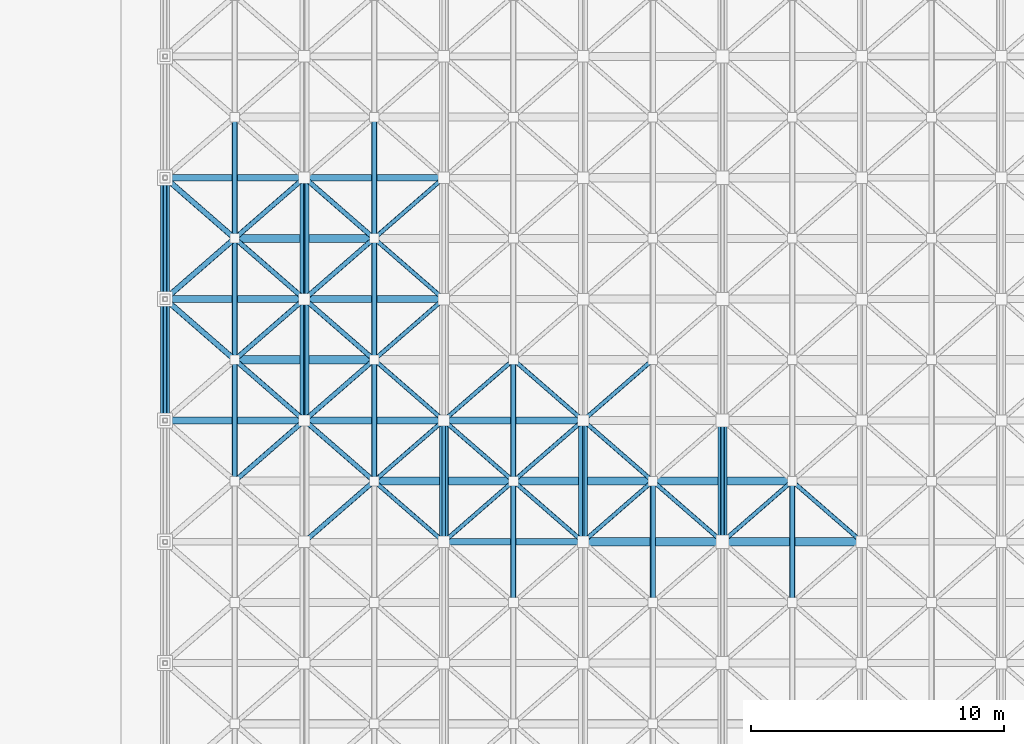
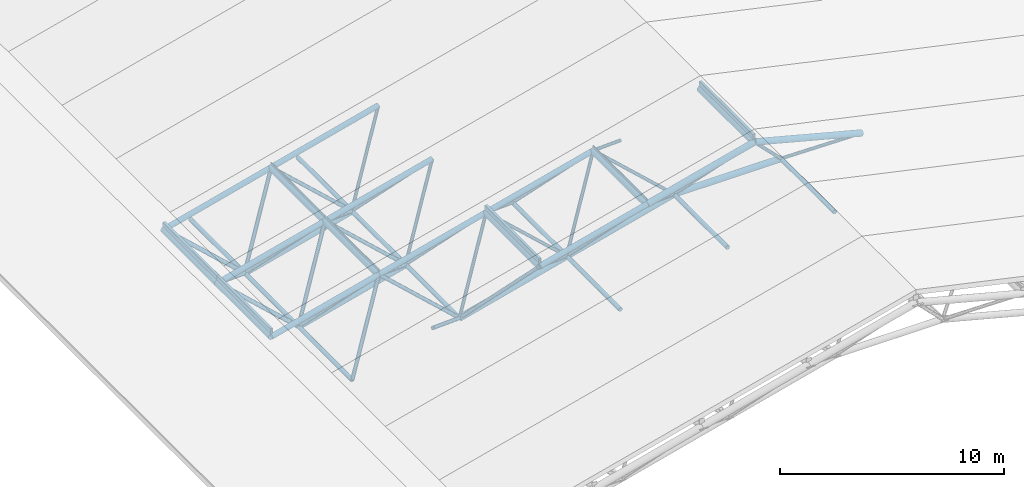
# One storey, part 3 of 60: 71 members.
"""IFC4 building model written with IfcOpenShell, lengths in metres."""

import ifcopenshell
import ifcopenshell.guid

model = None  # the IFC model being written
_history = None  # IfcOwnerHistory: only IFC2X3 demands one
_inside = {}  # id of a spatial element -> (the spatial element, [elements in it])
_under = {}  # id of a project, library or spatial element -> (it, [spatial elements below it])
_declared = {}  # id of a project -> (the project, [libraries it declares])
_typed = {}  # id of a type object -> (the type object, [elements of that type])
_made_of = {}  # id of a material, layer set ... -> (it, [elements and type objects made of it])


def new_model(schema):
    """Start an empty IFC model of exactly this schema.

    Asked for "IFC4X3", IfcOpenShell would pick the latest addendum, in which some entities
    have other attributes; the version numbers below select the first issue.
    IFC2X3 requires an IfcOwnerHistory on every rooted entity: one is made here for all.
    """
    global model, _history
    if schema == "IFC4X3":
        model = ifcopenshell.file(schema_version=(4, 3, 0, 0))
    else:
        model = ifcopenshell.file(schema=schema)
    _inside.clear()
    _under.clear()
    _declared.clear()
    _typed.clear()
    _made_of.clear()
    _history = None
    if model.schema == "IFC2X3":
        org = make("IfcOrganization", Name="unknown")
        user = make(
            "IfcPersonAndOrganization",
            ThePerson=make("IfcPerson", FamilyName="unknown"),
            TheOrganization=org,
        )
        app = make(
            "IfcApplication",
            ApplicationDeveloper=org,
            Version="unknown",
            ApplicationFullName="unknown",
            ApplicationIdentifier="unknown",
        )
        _history = make(
            "IfcOwnerHistory",
            OwningUser=user,
            OwningApplication=app,
            ChangeAction="ADDED",
            CreationDate=0,
        )
    return model


def make(cls, **values):
    """One entity of the class cls with the attributes given. An attribute that is None is left unset."""
    return model.create_entity(
        cls, **{name: value for name, value in values.items() if value is not None}
    )


def rooted(cls, **values):
    """An entity with a GlobalId (a new one), such as an element, a storey or a relation."""
    return make(cls, GlobalId=ifcopenshell.guid.new(), OwnerHistory=_history, **values)


def si_unit(unit_type, name, prefix=None):
    """IfcSIUnit, for example si_unit("LENGTHUNIT", "METRE", prefix="MILLI")."""
    return make("IfcSIUnit", UnitType=unit_type, Prefix=prefix, Name=name)


def assignment(units):
    """IfcUnitAssignment: the units of a project."""
    return None if units is None else make("IfcUnitAssignment", Units=units)


def point(xyz):
    """IfcCartesianPoint."""
    return None if xyz is None else make("IfcCartesianPoint", Coordinates=xyz)


def direction(xyz):
    """IfcDirection."""
    return None if xyz is None else make("IfcDirection", DirectionRatios=xyz)


def frame(location, z_axis=None, x_axis=None):
    """IfcAxis2Placement3D, a coordinate frame: its origin and axes. An axis left out is left unset."""
    return make(
        "IfcAxis2Placement3D",
        Location=point(location),
        Axis=direction(z_axis),
        RefDirection=direction(x_axis),
    )


def frame_2d(location, x_axis=None):
    """IfcAxis2Placement2D, a coordinate frame in the plane: its origin and x axis."""
    return make(
        "IfcAxis2Placement2D", Location=point(location), RefDirection=direction(x_axis)
    )


def origin():
    """The frame at (0, 0, 0) with its axes left unset."""
    return frame((0.0, 0.0, 0.0))


def origin_2d():
    """The frame at (0, 0) in the plane with its x axis left unset."""
    return frame_2d((0.0, 0.0))


def place(relative_to, where):
    """IfcLocalPlacement: puts the frame where relative to a parent placement (None: the world)."""
    return make(
        "IfcLocalPlacement", PlacementRelTo=relative_to, RelativePlacement=where
    )


def context(
    kind, dimensions, precision=None, world=None, true_north=None, identifier=None
):
    """IfcGeometricRepresentationContext, for example the 3D "Model" context."""
    return make(
        "IfcGeometricRepresentationContext",
        ContextIdentifier=identifier,
        ContextType=kind,
        CoordinateSpaceDimension=dimensions,
        Precision=precision,
        WorldCoordinateSystem=world,
        TrueNorth=true_north,
    )


def subcontext(parent, identifier, kind, view, scale=None):
    """IfcGeometricRepresentationSubContext, for example "Body" below "Model"."""
    return make(
        "IfcGeometricRepresentationSubContext",
        ContextIdentifier=identifier,
        ContextType=kind,
        ParentContext=parent,
        TargetScale=scale,
        TargetView=view,
    )


def project(units=None, contexts=None):
    """IfcProject with its units and contexts."""
    return rooted(
        "IfcProject",
        Name="project",
        RepresentationContexts=contexts,
        UnitsInContext=assignment(units),
    )


def spatial(cls, under=None, at=None, **own):
    """A site, building, storey or space (cls), placed at a placement, below another one or the project."""
    s = rooted(cls, ObjectPlacement=at, **own)
    if under is not None:
        _under.setdefault(under.id(), (under, []))[1].append(s)
    return s


def profile(cls, at=None, kind="AREA", **sizes):
    """A parametric profile (cls). Its sizes go by their IFC names, for example OverallWidth=200.0."""
    return make(cls, ProfileType=kind, Position=at, **sizes)


def hollow_rectangle(**sizes):
    """IfcRectangleHollowProfileDef."""
    return profile("IfcRectangleHollowProfileDef", **sizes)


def hollow_circle(**sizes):
    """IfcCircleHollowProfileDef."""
    return profile("IfcCircleHollowProfileDef", **sizes)


def extrude(swept, where, along, depth):
    """IfcExtrudedAreaSolid: the profile swept, set in the frame where, extruded along a direction by depth."""
    return make(
        "IfcExtrudedAreaSolid",
        SweptArea=swept,
        Position=where,
        ExtrudedDirection=direction(along),
        Depth=depth,
    )


def shape(context_of_items, identifier, shape_type, items):
    """IfcShapeRepresentation: the items that make up one representation, for example the "Body"."""
    return make(
        "IfcShapeRepresentation",
        ContextOfItems=context_of_items,
        RepresentationIdentifier=identifier,
        RepresentationType=shape_type,
        Items=items,
    )


def material(Name=None, Category=None):
    """IfcMaterial."""
    return make("IfcMaterial", Name=Name, Category=Category)


def material_profile(
    of_material, cross_section, Name=None, Category=None, Priority=None
):
    """IfcMaterialProfile: a cross section and its material."""
    return make(
        "IfcMaterialProfile",
        Name=Name,
        Material=of_material,
        Profile=cross_section,
        Priority=Priority,
        Category=Category,
    )


def profile_set(profiles, Name=None, composite=None):
    """IfcMaterialProfileSet."""
    return make(
        "IfcMaterialProfileSet",
        Name=Name,
        MaterialProfiles=profiles,
        CompositeProfile=composite,
    )


def made_of(thing, what):
    """Note that an element or type object is made of a material, layer set ...; save() writes the relation."""
    if what is not None:
        _made_of.setdefault(what.id(), (what, []))[1].append(thing)
    return thing


def type_object(cls, material=None, **own):
    """A type object (cls), such as IfcWallType, which elements share."""
    return made_of(rooted(cls, **own), material)


def element(
    cls,
    number,
    at=None,
    inside=None,
    cuts=None,
    type_object=None,
    material=None,
    context=None,
    identifier="Body",
    shape_type=None,
    held_by="IfcProductDefinitionShape",
    body=None,
    shapes=None,
    **own,
):
    """One element of the class cls, such as IfcWall. Its Tag is "e" and its number.

    at: its placement. inside: the storey or other place that contains it. cuts: it is an
    opening in that element (IfcRelVoidsElement). A single representation is given by context,
    identifier, shape_type and body (its items); several are given by shapes. held_by: the class
    of the entity that holds the representations. save() writes the other relations.
    """
    e = rooted(cls, Tag="e%d" % number, ObjectPlacement=at, **own)
    if body is not None:
        shapes = [shape(context, identifier, shape_type, body)]
    if shapes is not None:
        e.Representation = make(held_by, Representations=shapes)
    if inside is not None:
        _inside.setdefault(inside.id(), (inside, []))[1].append(e)
    if cuts is not None:
        rooted(
            "IfcRelVoidsElement", RelatingBuildingElement=cuts, RelatedOpeningElement=e
        )
    if type_object is not None:
        _typed.setdefault(type_object.id(), (type_object, []))[1].append(e)
    return made_of(e, material)


def aggregate(whole, parts):
    """IfcRelAggregates: a whole, such as a stair, and the parts it consists of."""
    return rooted("IfcRelAggregates", RelatingObject=whole, RelatedObjects=parts)


def save(model, path):
    """Write the relations noted so far, then the file.

    IfcRelAggregates (storeys below a building ...), IfcRelContainedInSpatialStructure (elements
    in a storey), IfcRelDefinesByType, IfcRelAssociatesMaterial and IfcRelDeclares: one each for
    every whole, place, type object, material and project.
    """
    for whole, parts in _under.values():
        aggregate(whole, parts)
    for where, things in _inside.values():
        rooted(
            "IfcRelContainedInSpatialStructure",
            RelatedElements=things,
            RelatingStructure=where,
        )
    for kind, things in _typed.values():
        rooted("IfcRelDefinesByType", RelatedObjects=things, RelatingType=kind)
    for what, things in _made_of.values():
        rooted("IfcRelAssociatesMaterial", RelatedObjects=things, RelatingMaterial=what)
    for by, libraries in _declared.values():
        rooted("IfcRelDeclares", RelatingContext=by, RelatedDefinitions=libraries)
    model.write(path)


model = new_model("IFC4")

# Units and contexts
model_context = context("Model", 3, precision=1e-05, world=origin(), true_north=direction((0.0, 1.0)))
body_context = subcontext(model_context, "Body", "Model", "MODEL_VIEW")
ifc_project = project(units=[si_unit("LENGTHUNIT", "METRE"), si_unit("AREAUNIT", "SQUARE_METRE"), si_unit("VOLUMEUNIT", "CUBIC_METRE"), si_unit("PLANEANGLEUNIT", "RADIAN"), si_unit("MASSUNIT", "GRAM", prefix="KILO")], contexts=[model_context])

# Site, building, storey
site_placement = place(None, origin())
site = spatial("IfcSite", under=ifc_project, at=site_placement, CompositionType="ELEMENT")
building_placement = place(site_placement, origin())
building = spatial("IfcBuilding", under=site, at=building_placement, Name="Nakhvara Creek Congress Hotel", CompositionType="ELEMENT")
storey_placement = place(building_placement, frame((0.0, 0.0, 54.60009765625)))
storey = spatial("IfcBuildingStorey", under=building, at=storey_placement, Name="RL1", CompositionType="ELEMENT", Elevation=54.60009765625)

# Members
ifc_material = material(Name="Steel S355J2H", Category="steel")
ifc_material_profile_1 = material_profile(ifc_material, hollow_circle(Radius=0.084228515625, WallThickness=0.010009765625, at=origin_2d()), Name="CHS 168.3x10.0", Category="LoadBearing")
ifc_profile_set_1 = profile_set([ifc_material_profile_1], Name="Steel S355J2H")
member_type_1 = type_object("IfcMemberType", Name="MEM-BRC-CHS168H", PredefinedType="BRACE", material=ifc_profile_set_1)
for number, where, z_axis, x_axis, name in (
    (1, (17.418701171875, 50.39990234375, -35.489990234375), (0.558255523915, -0.486063046951, 0.672378973799), (0.656658200939, 0.754188310132, 0.0), "Congress Space Frame Web Diagonal 0346"),
    (2, (17.418701171875, 50.39990234375, -35.489990234375), (0.558242106429, 0.486100810301, 0.672362813394), (-0.656696195101, 0.754155227616, 0.0), "Congress Space Frame Web Diagonal 0348"),
):
    element("IfcMember", number, at=place(storey_placement, frame(where, z_axis=z_axis, x_axis=x_axis)), inside=storey, type_object=member_type_1, Name=name, PredefinedType="BRACE", context=body_context, shape_type="SweptSolid", body=[
        extrude(hollow_circle(Radius=0.084228515625, WallThickness=0.010009765625, at=origin_2d()), origin(), (0.0, 0.0, 1.0), 4.9375),
    ])
member_1_placement = place(storey_placement, frame((22.93115234375, 50.39990234375, -34.050048828125), z_axis=(-0.670634480014, -0.583961107143, 0.457426299593), x_axis=(0.656691284984, -0.754159503173, 0.0)))
element("IfcMember", 3, at=member_1_placement, inside=storey, type_object=member_type_1, Name="Congress Space Frame Web Diagonal 0351", PredefinedType="BRACE", context=body_context, shape_type="SweptSolid", body=[
    extrude(hollow_circle(Radius=0.084228515625, WallThickness=0.010009765625, at=origin_2d()), origin(), (0.0, 0.0, 1.0), 4.109619140625),
])
member_2_placement = place(storey_placement, frame((22.93115234375, 50.39990234375, -34.050048828125), z_axis=(0.558236963804, -0.486046886997, 0.672406064728), x_axis=(0.656658200939, 0.754188310132, 0.0)))
element("IfcMember", 4, at=member_2_placement, inside=storey, type_object=member_type_1, Name="Congress Space Frame Web Diagonal 0352", PredefinedType="BRACE", context=body_context, shape_type="SweptSolid", body=[
    extrude(hollow_circle(Radius=0.084228515625, WallThickness=0.010009765625, at=origin_2d()), origin(), (0.0, 0.0, 1.0), 4.9375),
])
member_3_placement = place(storey_placement, frame((22.93115234375, 50.39990234375, -34.050048828125), z_axis=(-0.670611215194, 0.584000253041, 0.457410431127), x_axis=(-0.656729278158, -0.754126418587, 0.0)))
element("IfcMember", 5, at=member_3_placement, inside=storey, type_object=member_type_1, Name="Congress Space Frame Web Diagonal 0353", PredefinedType="BRACE", context=body_context, shape_type="SweptSolid", body=[
    extrude(hollow_circle(Radius=0.084228515625, WallThickness=0.010009765625, at=origin_2d()), origin(), (0.0, 0.0, 1.0), 4.10986328125),
])
member_4_placement = place(storey_placement, frame((22.93115234375, 50.39990234375, -34.050048828125), z_axis=(0.558223547657, 0.486084649868, 0.672389904746), x_axis=(-0.656696195101, 0.754155227616, 0.0)))
element("IfcMember", 6, at=member_4_placement, inside=storey, type_object=member_type_1, Name="Congress Space Frame Web Diagonal 0354", PredefinedType="BRACE", context=body_context, shape_type="SweptSolid", body=[
    extrude(hollow_circle(Radius=0.084228515625, WallThickness=0.010009765625, at=origin_2d()), origin(), (0.0, 0.0, 1.0), 4.937744140625),
])
member_5_placement = place(storey_placement, frame((28.44384765625, 50.39990234375, -32.610107421875), z_axis=(-0.670648942571, -0.583921975684, 0.457455049313), x_axis=(0.656658200939, -0.754188310132, 0.0)))
element("IfcMember", 7, at=member_5_placement, inside=storey, type_object=member_type_1, Name="Congress Space Frame Web Diagonal 0357", PredefinedType="BRACE", context=body_context, shape_type="SweptSolid", body=[
    extrude(hollow_circle(Radius=0.084228515625, WallThickness=0.010009765625, at=origin_2d()), origin(), (0.0, 0.0, 1.0), 4.10986328125),
])
member_6_placement = place(storey_placement, frame((28.44384765625, 50.39990234375, -32.610107421875), z_axis=(0.558202925689, -0.486060302908, 0.672424624541), x_axis=(0.656691284984, 0.754159503173, 0.0)))
element("IfcMember", 8, at=member_6_placement, inside=storey, type_object=member_type_1, Name="Congress Space Frame Web Diagonal 0358", PredefinedType="BRACE", context=body_context, shape_type="SweptSolid", body=[
    extrude(hollow_circle(Radius=0.084228515625, WallThickness=0.010009765625, at=origin_2d()), origin(), (0.0, 0.0, 1.0), 4.9375),
])
member_7_placement = place(storey_placement, frame((28.44384765625, 50.39990234375, -32.610107421875), z_axis=(-0.670625680367, 0.583961121673, 0.457439181976), x_axis=(-0.656696195101, -0.754155227616, 0.0)))
element("IfcMember", 9, at=member_7_placement, inside=storey, type_object=member_type_1, Name="Congress Space Frame Web Diagonal 0359", PredefinedType="BRACE", context=body_context, shape_type="SweptSolid", body=[
    extrude(hollow_circle(Radius=0.084228515625, WallThickness=0.010009765625, at=origin_2d()), origin(), (0.0, 0.0, 1.0), 4.110107421875),
])
member_8_placement = place(storey_placement, frame((33.956298828125, 50.39990234375, -32.610107421875), z_axis=(-0.558236963804, -0.486046886997, 0.672406064728), x_axis=(0.656658200939, -0.754188310132, 0.0)))
element("IfcMember", 10, at=member_8_placement, inside=storey, type_object=member_type_1, Name="Congress Space Frame Web Diagonal 0363", PredefinedType="BRACE", context=body_context, shape_type="SweptSolid", body=[
    extrude(hollow_circle(Radius=0.084228515625, WallThickness=0.010009765625, at=origin_2d()), origin(), (0.0, 0.0, 1.0), 4.9375),
])
member_9_placement = place(storey_placement, frame((33.956298828125, 50.39990234375, -32.610107421875), z_axis=(0.670616255838, -0.583945238275, 0.457473273648), x_axis=(0.656691284984, 0.754159503173, 0.0)))
element("IfcMember", 11, at=member_9_placement, inside=storey, type_object=member_type_1, Name="Congress Space Frame Web Diagonal 0364", PredefinedType="BRACE", context=body_context, shape_type="SweptSolid", body=[
    extrude(hollow_circle(Radius=0.084228515625, WallThickness=0.010009765625, at=origin_2d()), origin(), (0.0, 0.0, 1.0), 4.10986328125),
])
for number, where, z_axis, x_axis, name in (
    (12, (17.418701171875, 55.199951171875, -35.489990234375), (0.558255523915, -0.486063046951, 0.672378973799), (0.656658200939, 0.754188310132, 0.0), "Congress Space Frame Web Diagonal 0393"),
    (13, (17.418701171875, 55.199951171875, -35.489990234375), (0.558242106429, 0.486100810301, 0.672362813394), (-0.656696195101, 0.754155227616, 0.0), "Congress Space Frame Web Diagonal 0395"),
):
    element("IfcMember", number, at=place(storey_placement, frame(where, z_axis=z_axis, x_axis=x_axis)), inside=storey, type_object=member_type_1, Name=name, PredefinedType="BRACE", context=body_context, shape_type="SweptSolid", body=[
        extrude(hollow_circle(Radius=0.084228515625, WallThickness=0.010009765625, at=origin_2d()), origin(), (0.0, 0.0, 1.0), 4.9375),
    ])
member_10_placement = place(storey_placement, frame((22.93115234375, 55.199951171875, -34.050048828125), z_axis=(-0.670634480014, -0.583961107143, 0.457426299593), x_axis=(0.656691284984, -0.754159503173, 0.0)))
element("IfcMember", 14, at=member_10_placement, inside=storey, type_object=member_type_1, Name="Congress Space Frame Web Diagonal 0398", PredefinedType="BRACE", context=body_context, shape_type="SweptSolid", body=[
    extrude(hollow_circle(Radius=0.084228515625, WallThickness=0.010009765625, at=origin_2d()), origin(), (0.0, 0.0, 1.0), 4.109619140625),
])
member_11_placement = place(storey_placement, frame((22.93115234375, 55.199951171875, -34.050048828125), z_axis=(0.558236963804, -0.486046886997, 0.672406064728), x_axis=(0.656658200939, 0.754188310132, 0.0)))
element("IfcMember", 15, at=member_11_placement, inside=storey, type_object=member_type_1, Name="Congress Space Frame Web Diagonal 0399", PredefinedType="BRACE", context=body_context, shape_type="SweptSolid", body=[
    extrude(hollow_circle(Radius=0.084228515625, WallThickness=0.010009765625, at=origin_2d()), origin(), (0.0, 0.0, 1.0), 4.9375),
])
member_12_placement = place(storey_placement, frame((28.44384765625, 55.199951171875, -32.610107421875), z_axis=(-0.670648942571, -0.583921975684, 0.457455049313), x_axis=(0.656658200939, -0.754188310132, 0.0)))
element("IfcMember", 16, at=member_12_placement, inside=storey, type_object=member_type_1, Name="Congress Space Frame Web Diagonal 0404", PredefinedType="BRACE", context=body_context, shape_type="SweptSolid", body=[
    extrude(hollow_circle(Radius=0.084228515625, WallThickness=0.010009765625, at=origin_2d()), origin(), (0.0, 0.0, 1.0), 4.10986328125),
])
for number, where, z_axis, x_axis, name in (
    (17, (17.418701171875, 60.0, -35.489990234375), (0.558255523915, -0.486063046951, 0.672378973799), (0.656658200939, 0.754188310132, 0.0), "Congress Space Frame Web Diagonal 0440"),
    (18, (17.418701171875, 60.0, -35.489990234375), (0.558255523915, 0.486063046951, 0.672378973799), (-0.656658200939, 0.754188310132, 0.0), "Congress Space Frame Web Diagonal 0442"),
):
    element("IfcMember", number, at=place(storey_placement, frame(where, z_axis=z_axis, x_axis=x_axis)), inside=storey, type_object=member_type_1, Name=name, PredefinedType="BRACE", context=body_context, shape_type="SweptSolid", body=[
        extrude(hollow_circle(Radius=0.084228515625, WallThickness=0.010009765625, at=origin_2d()), origin(), (0.0, 0.0, 1.0), 4.9375),
    ])
ifc_material_profile_2 = material_profile(ifc_material, hollow_circle(Radius=0.096923828125, WallThickness=0.010009765625, at=origin_2d()), Name="CHS 193.7x10.0", Category="LoadBearing")
ifc_profile_set_2 = profile_set([ifc_material_profile_2], Name="Steel S355J2H")
member_type_2 = type_object("IfcMemberType", Name="MEM-BRC-CHS193", PredefinedType="BRACE", material=ifc_profile_set_2)
member_13_placement = place(storey_placement, frame((11.90625, 50.39990234375, -36.93017578125), z_axis=(0.558223547657, 0.486084649868, 0.672389904746), x_axis=(-0.656696195101, 0.754155227616, 0.0)))
element("IfcMember", 19, at=member_13_placement, inside=storey, type_object=member_type_2, Name="Congress Space Frame Web Diagonal 0342", PredefinedType="BRACE", context=body_context, shape_type="SweptSolid", body=[
    extrude(hollow_circle(Radius=0.096923828125, WallThickness=0.010009765625, at=origin_2d()), origin(), (0.0, 0.0, 1.0), 4.937744140625),
])
member_14_placement = place(storey_placement, frame((17.418701171875, 50.39990234375, -35.489990234375), z_axis=(-0.670634480014, -0.583961107143, 0.457426299593), x_axis=(0.656691284984, -0.754159503173, 0.0)))
element("IfcMember", 20, at=member_14_placement, inside=storey, type_object=member_type_2, Name="Congress Space Frame Web Diagonal 0345", PredefinedType="BRACE", context=body_context, shape_type="SweptSolid", body=[
    extrude(hollow_circle(Radius=0.096923828125, WallThickness=0.010009765625, at=origin_2d()), origin(), (0.0, 0.0, 1.0), 4.109619140625),
])
member_15_placement = place(storey_placement, frame((17.418701171875, 50.39990234375, -35.489990234375), z_axis=(-0.670611215194, 0.584000253041, 0.457410431127), x_axis=(-0.656729278158, -0.754126418587, 0.0)))
element("IfcMember", 21, at=member_15_placement, inside=storey, type_object=member_type_2, Name="Congress Space Frame Web Diagonal 0347", PredefinedType="BRACE", context=body_context, shape_type="SweptSolid", body=[
    extrude(hollow_circle(Radius=0.096923828125, WallThickness=0.010009765625, at=origin_2d()), origin(), (0.0, 0.0, 1.0), 4.10986328125),
])
member_16_placement = place(storey_placement, frame((11.90625, 55.199951171875, -36.93017578125), z_axis=(0.558236963804, -0.486046886997, 0.672406064728), x_axis=(0.656658200939, 0.754188310132, 0.0)))
element("IfcMember", 22, at=member_16_placement, inside=storey, type_object=member_type_2, Name="Congress Space Frame Web Diagonal 0387", PredefinedType="BRACE", context=body_context, shape_type="SweptSolid", body=[
    extrude(hollow_circle(Radius=0.096923828125, WallThickness=0.010009765625, at=origin_2d()), origin(), (0.0, 0.0, 1.0), 4.9375),
])
member_17_placement = place(storey_placement, frame((11.90625, 55.199951171875, -36.93017578125), z_axis=(0.558223547657, 0.486084649868, 0.672389904746), x_axis=(-0.656696195101, 0.754155227616, 0.0)))
element("IfcMember", 23, at=member_17_placement, inside=storey, type_object=member_type_2, Name="Congress Space Frame Web Diagonal 0389", PredefinedType="BRACE", context=body_context, shape_type="SweptSolid", body=[
    extrude(hollow_circle(Radius=0.096923828125, WallThickness=0.010009765625, at=origin_2d()), origin(), (0.0, 0.0, 1.0), 4.937744140625),
])
member_18_placement = place(storey_placement, frame((17.418701171875, 55.199951171875, -35.489990234375), z_axis=(-0.670634480014, -0.583961107143, 0.457426299593), x_axis=(0.656691284984, -0.754159503173, 0.0)))
element("IfcMember", 24, at=member_18_placement, inside=storey, type_object=member_type_2, Name="Congress Space Frame Web Diagonal 0392", PredefinedType="BRACE", context=body_context, shape_type="SweptSolid", body=[
    extrude(hollow_circle(Radius=0.096923828125, WallThickness=0.010009765625, at=origin_2d()), origin(), (0.0, 0.0, 1.0), 4.109619140625),
])
member_19_placement = place(storey_placement, frame((17.418701171875, 55.199951171875, -35.489990234375), z_axis=(-0.670611215194, 0.584000253041, 0.457410431127), x_axis=(-0.656729278158, -0.754126418587, 0.0)))
element("IfcMember", 25, at=member_19_placement, inside=storey, type_object=member_type_2, Name="Congress Space Frame Web Diagonal 0394", PredefinedType="BRACE", context=body_context, shape_type="SweptSolid", body=[
    extrude(hollow_circle(Radius=0.096923828125, WallThickness=0.010009765625, at=origin_2d()), origin(), (0.0, 0.0, 1.0), 4.10986328125),
])
for number, where, z_axis, x_axis, name in (
    (26, (11.90625, 60.0, -36.93017578125), (0.558236963804, -0.486046886997, 0.672406064728), (0.656658200939, 0.754188310132, 0.0), "Congress Space Frame Web Diagonal 0434"),
    (27, (11.90625, 60.0, -36.93017578125), (0.558236963804, 0.486046886997, 0.672406064728), (-0.656658200939, 0.754188310132, 0.0), "Congress Space Frame Web Diagonal 0436"),
):
    element("IfcMember", number, at=place(storey_placement, frame(where, z_axis=z_axis, x_axis=x_axis)), inside=storey, type_object=member_type_2, Name=name, PredefinedType="BRACE", context=body_context, shape_type="SweptSolid", body=[
        extrude(hollow_circle(Radius=0.096923828125, WallThickness=0.010009765625, at=origin_2d()), origin(), (0.0, 0.0, 1.0), 4.9375),
    ])
for number, where, z_axis, x_axis, name in (
    (28, (17.418701171875, 60.0, -35.489990234375), (-0.670634480014, -0.583961107143, 0.457426299593), (0.656691284984, -0.754159503173, 0.0), "Congress Space Frame Web Diagonal 0439"),
    (29, (17.418701171875, 60.0, -35.489990234375), (-0.670634480014, 0.583961107143, 0.457426299593), (-0.656691284984, -0.754159503173, 0.0), "Congress Space Frame Web Diagonal 0441"),
):
    element("IfcMember", number, at=place(storey_placement, frame(where, z_axis=z_axis, x_axis=x_axis)), inside=storey, type_object=member_type_2, Name=name, PredefinedType="BRACE", context=body_context, shape_type="SweptSolid", body=[
        extrude(hollow_circle(Radius=0.096923828125, WallThickness=0.010009765625, at=origin_2d()), origin(), (0.0, 0.0, 1.0), 4.109619140625),
    ])
ifc_material_profile_3 = material_profile(ifc_material, hollow_circle(Radius=0.109619140625, WallThickness=0.010009765625, at=origin_2d()), Name="CHS 219.1x10.0", Category="LoadBearing")
ifc_profile_set_3 = profile_set([ifc_material_profile_3], Name="Steel S355J2H")
member_type_3 = type_object("IfcMemberType", Name="MEM-BRC-CHS219", PredefinedType="BRACE", material=ifc_profile_set_3)
member_20_placement = place(storey_placement, frame((11.90625, 55.199951171875, -36.93017578125), z_axis=(-0.670625680367, 0.583961121673, 0.457439181976), x_axis=(-0.656696195101, -0.754155227616, 0.0)))
element("IfcMember", 30, at=member_20_placement, inside=storey, type_object=member_type_3, Name="Congress Space Frame Web Diagonal 0388", PredefinedType="BRACE", context=body_context, shape_type="SweptSolid", body=[
    extrude(hollow_circle(Radius=0.109619140625, WallThickness=0.010009765625, at=origin_2d()), origin(), (0.0, 0.0, 1.0), 4.110107421875),
])
for number, where, z_axis, x_axis, name in (
    (31, (11.90625, 60.0, -36.93017578125), (-0.670648942571, -0.583921975684, 0.457455049313), (0.656658200939, -0.754188310132, 0.0), "Congress Space Frame Web Diagonal 0433"),
    (32, (11.90625, 60.0, -36.93017578125), (-0.670648942571, 0.583921975684, 0.457455049313), (-0.656658200939, -0.754188310132, 0.0), "Congress Space Frame Web Diagonal 0435"),
):
    element("IfcMember", number, at=place(storey_placement, frame(where, z_axis=z_axis, x_axis=x_axis)), inside=storey, type_object=member_type_3, Name=name, PredefinedType="BRACE", context=body_context, shape_type="SweptSolid", body=[
        extrude(hollow_circle(Radius=0.109619140625, WallThickness=0.010009765625, at=origin_2d()), origin(), (0.0, 0.0, 1.0), 4.10986328125),
    ])
ifc_material_profile_4 = material_profile(ifc_material, hollow_circle(Radius=0.109619140625, WallThickness=0.012451171875, at=origin_2d()), Name="CHS 219.1x12.5", Category="LoadBearing")
ifc_profile_set_4 = profile_set([ifc_material_profile_4], Name="Steel S355J2H")
member_type_4 = type_object("IfcMemberType", Name="MEM-CHD-CHS219H", PredefinedType="CHORD", material=ifc_profile_set_4)
for number, where, z_axis, x_axis, name in (
    (33, (22.93115234375, 45.60009765625, -34.050048828125), (0.0, 1.0, 0.0), (-1.0, 0.0, 0.0), "Congress Roof Truss Bottom Tie 0303"),
    (34, (28.44384765625, 45.60009765625, -32.610107421875), (0.0, 1.0, 0.0), (-1.0, 0.0, 0.0), "Congress Roof Truss Bottom Tie 0309"),
    (35, (33.956298828125, 45.60009765625, -32.610107421875), (0.0, 1.0, 0.0), (-1.0, 0.0, 0.0), "Congress Roof Truss Bottom Tie 0315"),
):
    element("IfcMember", number, at=place(storey_placement, frame(where, z_axis=z_axis, x_axis=x_axis)), inside=storey, type_object=member_type_4, Name=name, PredefinedType="CHORD", context=body_context, shape_type="SweptSolid", body=[
        extrude(hollow_circle(Radius=0.109619140625, WallThickness=0.012451171875, at=origin_2d()), origin(), (0.0, 0.0, 1.0), 4.7998046875),
    ])
for number, where, z_axis, x_axis, name in (
    (36, (11.90625, 50.39990234375, -36.93017578125), (0.0, 1.0, 0.0), (-1.0, 0.0, 0.0), "Congress Roof Truss Bottom Tie 0338"),
    (37, (17.418701171875, 50.39990234375, -35.489990234375), (0.0, 1.0, 0.0), (-1.0, 0.0, 0.0), "Congress Roof Truss Bottom Tie 0344"),
    (38, (22.93115234375, 50.39990234375, -34.050048828125), (0.0, 1.0, 0.0), (-1.0, 0.0, 0.0), "Congress Roof Truss Bottom Tie 0350"),
    (39, (11.90625, 55.199951171875, -36.93017578125), (0.0, 1.0, 0.0), (-1.0, 0.0, 0.0), "Congress Roof Truss Bottom Tie 0385"),
    (40, (17.418701171875, 55.199951171875, -35.489990234375), (0.0, 1.0, 0.0), (-1.0, 0.0, 0.0), "Congress Roof Truss Bottom Tie 0391"),
    (41, (11.90625, 60.0, -36.93017578125), (0.0, 1.0, 0.0), (-1.0, 0.0, 0.0), "Congress Roof Truss Bottom Tie 0432"),
    (42, (17.418701171875, 60.0, -35.489990234375), (0.0, 1.0, 0.0), (-1.0, 0.0, 0.0), "Congress Roof Truss Bottom Tie 0438"),
):
    element("IfcMember", number, at=place(storey_placement, frame(where, z_axis=z_axis, x_axis=x_axis)), inside=storey, type_object=member_type_4, Name=name, PredefinedType="CHORD", context=body_context, shape_type="SweptSolid", body=[
        extrude(hollow_circle(Radius=0.109619140625, WallThickness=0.012451171875, at=origin_2d()), origin(), (0.0, 0.0, 1.0), 4.800048828125),
    ])
ifc_material_profile_5 = material_profile(ifc_material, hollow_circle(Radius=0.136474609375, WallThickness=0.01611328125, at=origin_2d()), Name="CHS 273.0x16.0", Category="LoadBearing")
ifc_profile_set_5 = profile_set([ifc_material_profile_5], Name="Steel S355J2H")
member_type_5 = type_object("IfcMemberType", Name="MEM-CHD-CHS273H", PredefinedType="CHORD", material=ifc_profile_set_5)
member_21_placement = place(storey_placement, frame((20.175048828125, 48.0, -32.170166015625), z_axis=(0.967524832219, 0.0, 0.252775985883), x_axis=(0.0, 1.0, 0.0)))
element("IfcMember", 43, at=member_21_placement, inside=storey, type_object=member_type_5, Name="Congress Space Frame Top Chord 0056", PredefinedType="CHORD", context=body_context, shape_type="SweptSolid", body=[
    extrude(hollow_circle(Radius=0.136474609375, WallThickness=0.01611328125, at=origin_2d()), origin(), (0.0, 0.0, 1.0), 5.697509765625),
])
member_22_placement = place(storey_placement, frame((9.14990234375, 52.800048828125, -35.050048828125), z_axis=(0.967538048321, 0.0, 0.252725394553), x_axis=(0.0, 1.0, 0.0)))
element("IfcMember", 44, at=member_22_placement, inside=storey, type_object=member_type_5, Name="Congress Space Frame Top Chord 0069", PredefinedType="CHORD", context=body_context, shape_type="SweptSolid", body=[
    extrude(hollow_circle(Radius=0.136474609375, WallThickness=0.01611328125, at=origin_2d()), origin(), (0.0, 0.0, 1.0), 5.69775390625),
])
for number, where, z_axis, x_axis, name in (
    (45, (14.66259765625, 52.800048828125, -33.610107421875), (0.967535311358, 0.0, 0.252735872554), (0.0, 1.0, 0.0), "Congress Space Frame Top Chord 0071"),
    (46, (20.175048828125, 52.800048828125, -32.170166015625), (0.967524832219, 0.0, 0.252775985883), (0.0, 1.0, 0.0), "Congress Space Frame Top Chord 0073"),
):
    element("IfcMember", number, at=place(storey_placement, frame(where, z_axis=z_axis, x_axis=x_axis)), inside=storey, type_object=member_type_5, Name=name, PredefinedType="CHORD", context=body_context, shape_type="SweptSolid", body=[
        extrude(hollow_circle(Radius=0.136474609375, WallThickness=0.01611328125, at=origin_2d()), origin(), (0.0, 0.0, 1.0), 5.697509765625),
    ])
member_23_placement = place(storey_placement, frame((9.14990234375, 57.60009765625, -35.050048828125), z_axis=(0.967538048321, 0.0, 0.252725394553), x_axis=(0.0, 1.0, 0.0)))
element("IfcMember", 47, at=member_23_placement, inside=storey, type_object=member_type_5, Name="Congress Space Frame Top Chord 0086", PredefinedType="CHORD", context=body_context, shape_type="SweptSolid", body=[
    extrude(hollow_circle(Radius=0.136474609375, WallThickness=0.01611328125, at=origin_2d()), origin(), (0.0, 0.0, 1.0), 5.69775390625),
])
member_24_placement = place(storey_placement, frame((14.66259765625, 57.60009765625, -33.610107421875), z_axis=(0.967535311358, 0.0, 0.252735872554), x_axis=(0.0, 1.0, 0.0)))
element("IfcMember", 48, at=member_24_placement, inside=storey, type_object=member_type_5, Name="Congress Space Frame Top Chord 0088", PredefinedType="CHORD", context=body_context, shape_type="SweptSolid", body=[
    extrude(hollow_circle(Radius=0.136474609375, WallThickness=0.01611328125, at=origin_2d()), origin(), (0.0, 0.0, 1.0), 5.697509765625),
])
member_25_placement = place(storey_placement, frame((9.14990234375, 62.39990234375, -35.050048828125), z_axis=(0.967538048321, 0.0, 0.252725394553), x_axis=(0.0, 1.0, 0.0)))
element("IfcMember", 49, at=member_25_placement, inside=storey, type_object=member_type_5, Name="Congress Space Frame Top Chord 0103", PredefinedType="CHORD", context=body_context, shape_type="SweptSolid", body=[
    extrude(hollow_circle(Radius=0.136474609375, WallThickness=0.01611328125, at=origin_2d()), origin(), (0.0, 0.0, 1.0), 5.69775390625),
])
member_26_placement = place(storey_placement, frame((14.66259765625, 62.39990234375, -33.610107421875), z_axis=(0.967535311358, 0.0, 0.252735872554), x_axis=(0.0, 1.0, 0.0)))
element("IfcMember", 50, at=member_26_placement, inside=storey, type_object=member_type_5, Name="Congress Space Frame Top Chord 0105", PredefinedType="CHORD", context=body_context, shape_type="SweptSolid", body=[
    extrude(hollow_circle(Radius=0.136474609375, WallThickness=0.01611328125, at=origin_2d()), origin(), (0.0, 0.0, 1.0), 5.697509765625),
])
ifc_material_profile_6 = material_profile(ifc_material, hollow_circle(Radius=0.161865234375, WallThickness=0.012451171875, at=origin_2d()), Name="CHS 323.9x12.5", Category="LoadBearing")
ifc_profile_set_6 = profile_set([ifc_material_profile_6], Name="Steel S355J2H")
member_type_6 = type_object("IfcMemberType", Name="MEM-CHD-CHS324", PredefinedType="CHORD", material=ifc_profile_set_6)
member_27_placement = place(storey_placement, frame((17.418701171875, 50.39990234375, -35.489990234375), z_axis=(0.967535311358, 0.0, 0.252735872554), x_axis=(0.0, 1.0, 0.0)))
element("IfcMember", 51, at=member_27_placement, inside=storey, type_object=member_type_6, Name="Congress Space Frame Bottom Chord 0343", PredefinedType="CHORD", context=body_context, shape_type="SweptSolid", body=[
    extrude(hollow_circle(Radius=0.161865234375, WallThickness=0.012451171875, at=origin_2d()), origin(), (0.0, 0.0, 1.0), 5.697509765625),
])
member_28_placement = place(storey_placement, frame((22.93115234375, 50.39990234375, -34.050048828125), z_axis=(0.967538048321, 0.0, 0.252725394553), x_axis=(0.0, 1.0, 0.0)))
element("IfcMember", 52, at=member_28_placement, inside=storey, type_object=member_type_6, Name="Congress Space Frame Bottom Chord 0349", PredefinedType="CHORD", context=body_context, shape_type="SweptSolid", body=[
    extrude(hollow_circle(Radius=0.161865234375, WallThickness=0.012451171875, at=origin_2d()), origin(), (0.0, 0.0, 1.0), 5.69775390625),
])
member_29_placement = place(storey_placement, frame((28.44384765625, 50.39990234375, -32.610107421875), z_axis=(1.0, 0.0, 0.0), x_axis=(0.0, 1.0, 0.0)))
element("IfcMember", 53, at=member_29_placement, inside=storey, type_object=member_type_6, Name="Congress Space Frame Bottom Chord 0355", PredefinedType="CHORD", context=body_context, shape_type="SweptSolid", body=[
    extrude(hollow_circle(Radius=0.161865234375, WallThickness=0.012451171875, at=origin_2d()), origin(), (0.0, 0.0, 1.0), 5.512451171875),
])
for number, where, z_axis, x_axis, name in (
    (54, (11.90625, 55.199951171875, -36.93017578125), (0.967524832219, 0.0, 0.252775985883), (0.0, 1.0, 0.0), "Congress Space Frame Bottom Chord 0384"),
    (55, (11.90625, 60.0, -36.93017578125), (0.967524832219, 0.0, 0.252775985883), (0.0, 1.0, 0.0), "Congress Space Frame Bottom Chord 0431"),
):
    element("IfcMember", number, at=place(storey_placement, frame(where, z_axis=z_axis, x_axis=x_axis)), inside=storey, type_object=member_type_6, Name=name, PredefinedType="CHORD", context=body_context, shape_type="SweptSolid", body=[
        extrude(hollow_circle(Radius=0.161865234375, WallThickness=0.012451171875, at=origin_2d()), origin(), (0.0, 0.0, 1.0), 5.697509765625),
    ])
ifc_material_profile_7 = material_profile(ifc_material, hollow_circle(Radius=0.161865234375, WallThickness=0.01611328125, at=origin_2d()), Name="CHS 323.9x16.0", Category="LoadBearing")
ifc_profile_set_7 = profile_set([ifc_material_profile_7], Name="Steel S355J2H")
member_type_7 = type_object("IfcMemberType", Name="MEM-CHD-CHS324H", PredefinedType="CHORD", material=ifc_profile_set_7)
for number, where, z_axis, x_axis, name in (
    (56, (25.6875, 48.0, -30.72998046875), (0.967535311358, 0.0, 0.252735872554), (0.0, 1.0, 0.0), "Congress Space Frame Top Chord 0058"),
    (57, (31.199951171875, 48.0, -29.2900390625), (0.967535311358, 0.0, -0.252735872554), (0.0, 1.0, 0.0), "Congress Space Frame Top Chord 0060"),
):
    element("IfcMember", number, at=place(storey_placement, frame(where, z_axis=z_axis, x_axis=x_axis)), inside=storey, type_object=member_type_7, Name=name, PredefinedType="CHORD", context=body_context, shape_type="SweptSolid", body=[
        extrude(hollow_circle(Radius=0.161865234375, WallThickness=0.01611328125, at=origin_2d()), origin(), (0.0, 0.0, 1.0), 5.697509765625),
    ])
ifc_material_profile_8 = material_profile(ifc_material, hollow_circle(Radius=0.177734375, WallThickness=0.01611328125, at=origin_2d()), Name="CHS 355.6x16.0", Category="LoadBearing")
ifc_profile_set_8 = profile_set([ifc_material_profile_8], Name="Steel S355J2H")
member_type_8 = type_object("IfcMemberType", Name="MEM-CHD-CHS355", PredefinedType="CHORD", material=ifc_profile_set_8)
for number, where, z_axis, x_axis, name in (
    (58, (20.175048828125, 48.0, -32.170166015625), (0.0, 1.0, 0.0), (-1.0, 0.0, 0.0), "Congress Roof Truss Longitudinal Chord 0057"),
    (59, (25.6875, 48.0, -30.72998046875), (0.0, 1.0, 0.0), (-1.0, 0.0, 0.0), "Congress Roof Truss Longitudinal Chord 0059"),
    (60, (31.199951171875, 48.0, -29.2900390625), (0.0, 1.0, 0.0), (-1.0, 0.0, 0.0), "Congress Roof Truss Longitudinal Chord 0061"),
    (61, (9.14990234375, 52.800048828125, -35.050048828125), (0.0, 1.0, 0.0), (-1.0, 0.0, 0.0), "Congress Roof Truss Longitudinal Chord 0070"),
    (62, (14.66259765625, 52.800048828125, -33.610107421875), (0.0, 1.0, 0.0), (-1.0, 0.0, 0.0), "Congress Roof Truss Longitudinal Chord 0072"),
):
    element("IfcMember", number, at=place(storey_placement, frame(where, z_axis=z_axis, x_axis=x_axis)), inside=storey, type_object=member_type_8, Name=name, PredefinedType="CHORD", context=body_context, shape_type="SweptSolid", body=[
        extrude(hollow_circle(Radius=0.177734375, WallThickness=0.01611328125, at=origin_2d()), origin(), (0.0, 0.0, 1.0), 4.800048828125),
    ])
for number, where, z_axis, x_axis, name in (
    (63, (9.14990234375, 57.60009765625, -35.050048828125), (0.0, 1.0, 0.0), (-1.0, 0.0, 0.0), "Congress Roof Truss Longitudinal Chord 0087"),
    (64, (14.66259765625, 57.60009765625, -33.610107421875), (0.0, 1.0, 0.0), (-1.0, 0.0, 0.0), "Congress Roof Truss Longitudinal Chord 0089"),
):
    element("IfcMember", number, at=place(storey_placement, frame(where, z_axis=z_axis, x_axis=x_axis)), inside=storey, type_object=member_type_8, Name=name, PredefinedType="CHORD", context=body_context, shape_type="SweptSolid", body=[
        extrude(hollow_circle(Radius=0.177734375, WallThickness=0.01611328125, at=origin_2d()), origin(), (0.0, 0.0, 1.0), 4.7998046875),
    ])
ifc_material_profile_9 = material_profile(ifc_material, hollow_rectangle(XDim=0.06005859375, YDim=0.1201171875, WallThickness=0.0048828125, InnerFilletRadius=0.0048828125, OuterFilletRadius=0.010009765625, at=origin_2d()), Name="RHS 120x60x5.0", Category="LoadBearing")
ifc_profile_set_9 = profile_set([ifc_material_profile_9], Name="Steel S355J2H")
member_type_9 = type_object("IfcMemberType", Name="MEM-PUR-RHS120", PredefinedType="PURLIN", material=ifc_profile_set_9)
member_30_placement = place(storey_placement, frame((14.66259765625, 52.800048828125, -33.378173828125), z_axis=(0.0, 1.0, 0.0), x_axis=(-1.0, 0.0, 0.0)))
element("IfcMember", 65, at=member_30_placement, inside=storey, type_object=member_type_9, Name="Congress Roof Purlin 016", PredefinedType="PURLIN", context=body_context, shape_type="SweptSolid", body=[
    extrude(hollow_rectangle(XDim=0.06005859375, YDim=0.1201171875, WallThickness=0.0048828125, InnerFilletRadius=0.0048828125, OuterFilletRadius=0.010009765625, at=origin_2d()), origin(), (0.0, 0.0, 1.0), 4.800048828125),
])
member_31_placement = place(storey_placement, frame((14.66259765625, 57.60009765625, -33.378173828125), z_axis=(0.0, 1.0, 0.0), x_axis=(-1.0, 0.0, 0.0)))
element("IfcMember", 66, at=member_31_placement, inside=storey, type_object=member_type_9, Name="Congress Roof Purlin 017", PredefinedType="PURLIN", context=body_context, shape_type="SweptSolid", body=[
    extrude(hollow_rectangle(XDim=0.06005859375, YDim=0.1201171875, WallThickness=0.0048828125, InnerFilletRadius=0.0048828125, OuterFilletRadius=0.010009765625, at=origin_2d()), origin(), (0.0, 0.0, 1.0), 4.7998046875),
])
member_32_placement = place(storey_placement, frame((25.6875, 48.0, -30.498046875), z_axis=(0.0, 1.0, 0.0), x_axis=(-1.0, 0.0, 0.0)))
element("IfcMember", 67, at=member_32_placement, inside=storey, type_object=member_type_9, Name="Congress Roof Purlin 037", PredefinedType="PURLIN", context=body_context, shape_type="SweptSolid", body=[
    extrude(hollow_rectangle(XDim=0.06005859375, YDim=0.1201171875, WallThickness=0.0048828125, InnerFilletRadius=0.0048828125, OuterFilletRadius=0.010009765625, at=origin_2d()), origin(), (0.0, 0.0, 1.0), 4.800048828125),
])
ifc_material_profile_10 = material_profile(ifc_material, hollow_rectangle(XDim=0.14990234375, YDim=0.25, WallThickness=0.010009765625, InnerFilletRadius=0.010009765625, OuterFilletRadius=0.02001953125, at=origin_2d()), Name="RHS 250x150x10.0", Category="LoadBearing")
ifc_profile_set_10 = profile_set([ifc_material_profile_10], Name="Steel S355J2H")
member_type_10 = type_object("IfcMemberType", Name="MEM-PUR-RHS250", PredefinedType="PURLIN", material=ifc_profile_set_10)
member_33_placement = place(storey_placement, frame((9.14990234375, 52.800048828125, -34.753173828125), z_axis=(0.0, 1.0, 0.0), x_axis=(-1.0, 0.0, 0.0)))
element("IfcMember", 68, at=member_33_placement, inside=storey, type_object=member_type_10, Name="Congress Roof Purlin 005", PredefinedType="PURLIN", context=body_context, shape_type="SweptSolid", body=[
    extrude(hollow_rectangle(XDim=0.14990234375, YDim=0.25, WallThickness=0.010009765625, InnerFilletRadius=0.010009765625, OuterFilletRadius=0.02001953125, at=origin_2d()), origin(), (0.0, 0.0, 1.0), 4.800048828125),
])
member_34_placement = place(storey_placement, frame((9.14990234375, 57.60009765625, -34.753173828125), z_axis=(0.0, 1.0, 0.0), x_axis=(-1.0, 0.0, 0.0)))
element("IfcMember", 69, at=member_34_placement, inside=storey, type_object=member_type_10, Name="Congress Roof Purlin 006", PredefinedType="PURLIN", context=body_context, shape_type="SweptSolid", body=[
    extrude(hollow_rectangle(XDim=0.14990234375, YDim=0.25, WallThickness=0.010009765625, InnerFilletRadius=0.010009765625, OuterFilletRadius=0.02001953125, at=origin_2d()), origin(), (0.0, 0.0, 1.0), 4.7998046875),
])
for number, where, z_axis, x_axis, name in (
    (70, (20.175048828125, 48.0, -31.873046875), (0.0, 1.0, 0.0), (-1.0, 0.0, 0.0), "Congress Roof Purlin 026"),
    (71, (31.199951171875, 48.0, -28.9931640625), (0.0, 1.0, 0.0), (-1.0, 0.0, 0.0), "Congress Roof Purlin 048"),
):
    element("IfcMember", number, at=place(storey_placement, frame(where, z_axis=z_axis, x_axis=x_axis)), inside=storey, type_object=member_type_10, Name=name, PredefinedType="PURLIN", context=body_context, shape_type="SweptSolid", body=[
        extrude(hollow_rectangle(XDim=0.14990234375, YDim=0.25, WallThickness=0.010009765625, InnerFilletRadius=0.010009765625, OuterFilletRadius=0.02001953125, at=origin_2d()), origin(), (0.0, 0.0, 1.0), 4.800048828125),
    ])

save(model, "model.ifc")
